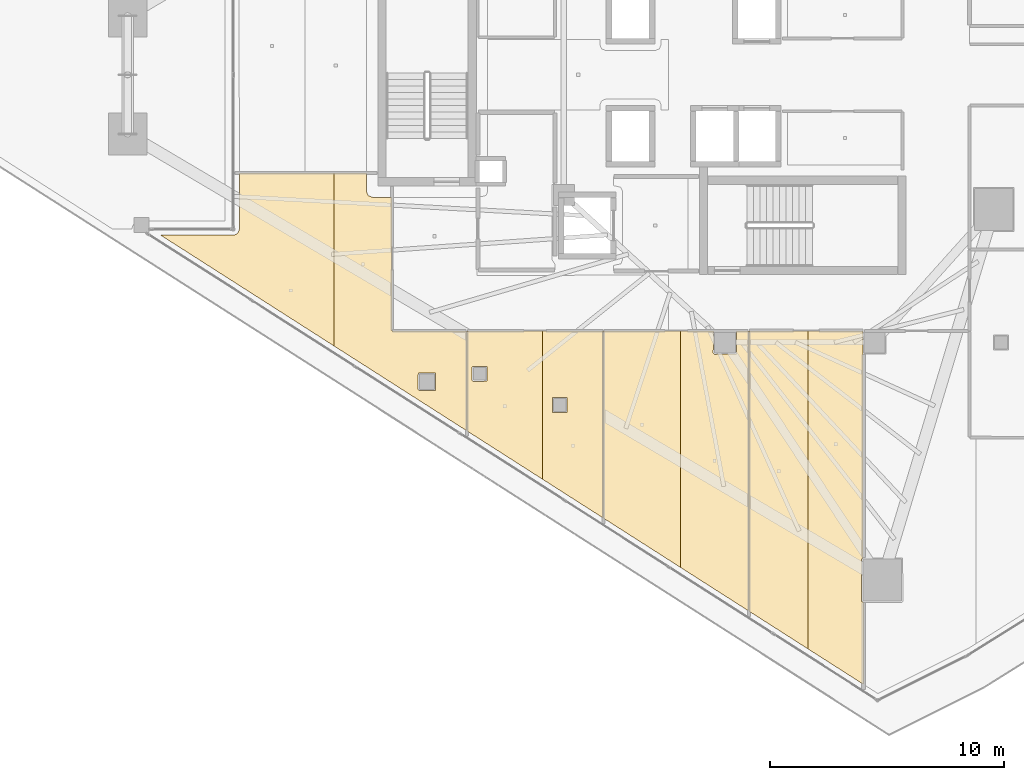
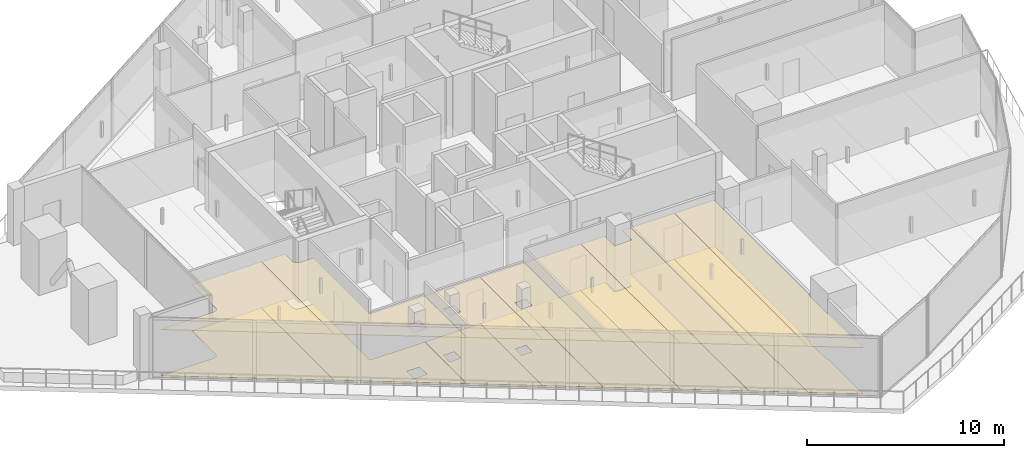
# One storey, part 31 of 36: 16 coverings.
"""IFC4 building model written with IfcOpenShell, lengths in metres."""

from ifc_helpers import new_model, si_unit, direction, frame, origin, place, context, subcontext, project, spatial, polyline, outline, extrude, material, layer, layer_set, type_object, element, save


model = new_model("IFC4")

# Units and contexts
model_context = context("Model", 3, precision=1e-05, world=origin(), true_north=direction((0.0, 1.0)))
body_context = subcontext(model_context, "Body", "Model", "MODEL_VIEW")
ifc_project = project(units=[si_unit("LENGTHUNIT", "METRE"), si_unit("AREAUNIT", "SQUARE_METRE"), si_unit("VOLUMEUNIT", "CUBIC_METRE"), si_unit("PLANEANGLEUNIT", "RADIAN"), si_unit("MASSUNIT", "GRAM", prefix="KILO")], contexts=[model_context])

# Site, building, storey
site_placement = place(None, origin())
site = spatial("IfcSite", under=ifc_project, at=site_placement, CompositionType="ELEMENT")
building_placement = place(site_placement, origin())
building = spatial("IfcBuilding", under=site, at=building_placement, Name="Qorvath Tower", CompositionType="ELEMENT")
storey_placement = place(building_placement, frame((0.0, 0.0, 229.35009765625)))
storey = spatial("IfcBuildingStorey", under=building, at=storey_placement, Name="L53", CompositionType="ELEMENT", Elevation=229.35009765625)

# Coverings
ifc_material_1 = material(Name="Acoustic mineral fibre ceiling tile", Category="gypsum")
ifc_layer_1 = layer(ifc_material_1, 0.030029296875)
ifc_layer_set_1 = layer_set([ifc_layer_1], Name="COV-CEIL")
covering_type_1 = type_object("IfcCoveringType", Name="COV-CEIL", PredefinedType="CEILING", material=ifc_layer_set_1)
covering_1_placement = place(storey_placement, frame((0.0, 0.0, 2.849853515625)))
element("IfcCovering", 1, at=covering_1_placement, inside=storey, type_object=covering_type_1, Name="L53 Suspended Acoustic Ceiling 019", PredefinedType="CEILING", context=body_context, shape_type="SweptSolid", body=[
    extrude(outline(polyline([(-34.64501953125, -10.962890625), (-34.64501953125, -15.24267578125), (-31.4130859375, -17.308349609375), (-31.4130859375, -10.962890625), (-34.64501953125, -10.962890625)]), holes=[polyline([(-34.439208984375, -13.0673828125), (-34.421630859375, -12.47509765625), (-33.786865234375, -12.47509765625), (-33.786865234375, -13.10986328125), (-34.379150390625, -13.12744140625), (-34.439208984375, -13.0673828125)])]), origin(), (0.0, 0.0, 1.0), 0.030029296875),
])
covering_2_placement = place(storey_placement, frame((0.0, 0.0, 2.849853515625)))
element("IfcCovering", 2, at=covering_2_placement, inside=storey, type_object=covering_type_1, Name="L53 Suspended Acoustic Ceiling 020", PredefinedType="CEILING", context=body_context, shape_type="SweptSolid", body=[
    extrude(outline(polyline([(-31.4130859375, -10.962890625), (-31.4130859375, -17.308349609375), (-28.816162109375, -18.96826171875), (-28.816162109375, -10.962890625), (-31.4130859375, -10.962890625)]), holes=[polyline([(-30.99462890625, -14.441650390625), (-30.99462890625, -13.806884765625), (-30.35986328125, -13.806884765625), (-30.35986328125, -14.441650390625), (-30.99462890625, -14.441650390625)])]), origin(), (0.0, 0.0, 1.0), 0.030029296875),
])
covering_3_placement = place(storey_placement, frame((0.0, 0.0, 2.849853515625)))
element("IfcCovering", 3, at=covering_3_placement, inside=storey, type_object=covering_type_1, Name="L53 Suspended Acoustic Ceiling 021", PredefinedType="CEILING", context=body_context, shape_type="SweptSolid", body=[
    extrude(outline(polyline([(-28.798095703125, -10.962890625), (-28.798095703125, -18.979736328125), (-25.520263671875, -21.07470703125), (-25.520263671875, -10.962890625), (-28.798095703125, -10.962890625)])), origin(), (0.0, 0.0, 1.0), 0.030029296875),
])
covering_4_placement = place(storey_placement, frame((0.0, 0.0, 2.849853515625)))
element("IfcCovering", 4, at=covering_4_placement, inside=storey, type_object=covering_type_1, Name="L53 Suspended Acoustic Ceiling 022", PredefinedType="CEILING", context=body_context, shape_type="SweptSolid", body=[
    extrude(outline(polyline([(-25.520263671875, -10.962890625), (-25.520263671875, -21.07470703125), (-22.592041015625, -22.946044921875), (-22.592041015625, -10.962890625), (-23.105224609375, -10.962890625), (-23.107666015625, -11.9423828125), (-24.050048828125, -11.9599609375), (-24.110107421875, -11.89990234375), (-24.0947265625, -10.962890625), (-25.520263671875, -10.962890625)])), origin(), (0.0, 0.0, 1.0), 0.030029296875),
])
covering_5_placement = place(storey_placement, frame((0.0, 0.0, 2.849853515625)))
element("IfcCovering", 5, at=covering_5_placement, inside=storey, type_object=covering_type_1, Name="L53 Suspended Acoustic Ceiling 023", PredefinedType="CEILING", context=body_context, shape_type="SweptSolid", body=[
    extrude(outline(polyline([(-20.04345703125, -24.574951171875), (-20.04345703125, -10.962890625), (-22.573974609375, -10.962890625), (-22.573974609375, -22.95751953125), (-20.04345703125, -24.574951171875)])), origin(), (0.0, 0.0, 1.0), 0.030029296875),
])
covering_6_placement = place(storey_placement, frame((0.0, 0.0, 2.849853515625)))
element("IfcCovering", 6, at=covering_6_placement, inside=storey, type_object=covering_type_1, Name="L53 Suspended Acoustic Ceiling 024", PredefinedType="CEILING", context=body_context, shape_type="SweptSolid", body=[
    extrude(outline(polyline([(-17.69677734375, -20.6669921875), (-17.694580078125, -10.962890625), (-20.04345703125, -10.962890625), (-20.04345703125, -24.574951171875), (-17.680908203125, -26.0849609375), (-17.680908203125, -22.587158203125), (-17.756591796875, -22.527099609375), (-17.756591796875, -20.72705078125), (-17.69677734375, -20.6669921875)])), origin(), (0.0, 0.0, 1.0), 0.030029296875),
])
covering_7_placement = place(storey_placement, frame((0.0, 0.0, 2.849853515625)))
element("IfcCovering", 7, at=covering_7_placement, inside=storey, type_object=covering_type_1, Name="L53 Suspended Acoustic Ceiling 037", PredefinedType="CEILING", context=body_context, shape_type="SweptSolid", body=[
    extrude(outline(polyline([(-44.46875, -6.78564453125), (-44.59912109375, -6.854736328125), (-47.76171875, -6.859375), (-40.335205078125, -11.60595703125), (-40.335205078125, -4.209716796875), (-44.39306640625, -4.209716796875), (-44.394287109375, -6.62890625), (-44.46875, -6.78564453125)])), origin(), (0.0, 0.0, 1.0), 0.030029296875),
])
covering_8_placement = place(storey_placement, frame((0.0, 0.0, 2.849853515625)))
element("IfcCovering", 8, at=covering_8_placement, inside=storey, type_object=covering_type_1, Name="L53 Suspended Acoustic Ceiling 038", PredefinedType="CEILING", context=body_context, shape_type="SweptSolid", body=[
    extrude(outline(polyline([(-40.335205078125, -4.209716796875), (-40.335205078125, -11.60595703125), (-34.6630859375, -15.231201171875), (-34.6630859375, -10.962890625), (-37.861572265625, -10.96142578125), (-37.863037109375, -5.239990234375), (-38.699951171875, -5.239990234375), (-38.876708984375, -5.166748046875), (-38.949951171875, -4.989990234375), (-38.949951171875, -4.209716796875), (-40.335205078125, -4.209716796875)]), holes=[polyline([(-36.749755859375, -13.46044921875), (-36.732177734375, -12.76806640625), (-35.997314453125, -12.76806640625), (-35.997314453125, -13.5029296875), (-36.689697265625, -13.5205078125), (-36.749755859375, -13.46044921875)])]), origin(), (0.0, 0.0, 1.0), 0.030029296875),
])
ifc_material_2 = material(Name="Low-VOC modular carpet tile", Category="textile")
ifc_layer_2 = layer(ifc_material_2, 0.014892578125)
ifc_layer_set_2 = layer_set([ifc_layer_2], Name="COV-FLOOR-CPT")
covering_type_2 = type_object("IfcCoveringType", Name="COV-FLOOR-CPT", PredefinedType="FLOORING", material=ifc_layer_set_2)
covering_9_placement = place(storey_placement, origin())
element("IfcCovering", 9, at=covering_9_placement, inside=storey, type_object=covering_type_2, Name="L53 Floor Finish 019", PredefinedType="FLOORING", context=body_context, shape_type="SweptSolid", body=[
    extrude(outline(polyline([(-34.64501953125, -10.962890625), (-34.64501953125, -15.24267578125), (-31.4130859375, -17.308349609375), (-31.4130859375, -10.962890625), (-34.64501953125, -10.962890625)]), holes=[polyline([(-34.439208984375, -13.0673828125), (-34.421630859375, -12.47509765625), (-33.786865234375, -12.47509765625), (-33.786865234375, -13.10986328125), (-34.379150390625, -13.12744140625), (-34.439208984375, -13.0673828125)])]), origin(), (0.0, 0.0, 1.0), 0.014892578125),
])
covering_10_placement = place(storey_placement, origin())
element("IfcCovering", 10, at=covering_10_placement, inside=storey, type_object=covering_type_2, Name="L53 Floor Finish 020", PredefinedType="FLOORING", context=body_context, shape_type="SweptSolid", body=[
    extrude(outline(polyline([(-31.4130859375, -10.962890625), (-31.4130859375, -17.308349609375), (-28.816162109375, -18.96826171875), (-28.816162109375, -10.962890625), (-31.4130859375, -10.962890625)]), holes=[polyline([(-30.99462890625, -14.441650390625), (-30.99462890625, -13.806884765625), (-30.35986328125, -13.806884765625), (-30.35986328125, -14.441650390625), (-30.99462890625, -14.441650390625)])]), origin(), (0.0, 0.0, 1.0), 0.014892578125),
])
covering_11_placement = place(storey_placement, origin())
element("IfcCovering", 11, at=covering_11_placement, inside=storey, type_object=covering_type_2, Name="L53 Floor Finish 021", PredefinedType="FLOORING", context=body_context, shape_type="SweptSolid", body=[
    extrude(outline(polyline([(-28.798095703125, -10.962890625), (-28.798095703125, -18.979736328125), (-25.520263671875, -21.07470703125), (-25.520263671875, -10.962890625), (-28.798095703125, -10.962890625)])), origin(), (0.0, 0.0, 1.0), 0.014892578125),
])
covering_12_placement = place(storey_placement, origin())
element("IfcCovering", 12, at=covering_12_placement, inside=storey, type_object=covering_type_2, Name="L53 Floor Finish 022", PredefinedType="FLOORING", context=body_context, shape_type="SweptSolid", body=[
    extrude(outline(polyline([(-25.520263671875, -10.962890625), (-25.520263671875, -21.07470703125), (-22.592041015625, -22.946044921875), (-22.592041015625, -10.962890625), (-23.105224609375, -10.962890625), (-23.107666015625, -11.9423828125), (-24.050048828125, -11.9599609375), (-24.110107421875, -11.89990234375), (-24.0947265625, -10.962890625), (-25.520263671875, -10.962890625)])), origin(), (0.0, 0.0, 1.0), 0.014892578125),
])
covering_13_placement = place(storey_placement, origin())
element("IfcCovering", 13, at=covering_13_placement, inside=storey, type_object=covering_type_2, Name="L53 Floor Finish 023", PredefinedType="FLOORING", context=body_context, shape_type="SweptSolid", body=[
    extrude(outline(polyline([(-20.04345703125, -24.574951171875), (-20.04345703125, -10.962890625), (-22.573974609375, -10.962890625), (-22.573974609375, -22.95751953125), (-20.04345703125, -24.574951171875)])), origin(), (0.0, 0.0, 1.0), 0.014892578125),
])
covering_14_placement = place(storey_placement, origin())
element("IfcCovering", 14, at=covering_14_placement, inside=storey, type_object=covering_type_2, Name="L53 Floor Finish 024", PredefinedType="FLOORING", context=body_context, shape_type="SweptSolid", body=[
    extrude(outline(polyline([(-17.69677734375, -20.6669921875), (-17.694580078125, -10.962890625), (-20.04345703125, -10.962890625), (-20.04345703125, -24.574951171875), (-17.680908203125, -26.0849609375), (-17.680908203125, -22.587158203125), (-17.756591796875, -22.527099609375), (-17.756591796875, -20.72705078125), (-17.69677734375, -20.6669921875)])), origin(), (0.0, 0.0, 1.0), 0.014892578125),
])
covering_15_placement = place(storey_placement, origin())
element("IfcCovering", 15, at=covering_15_placement, inside=storey, type_object=covering_type_2, Name="L53 Floor Finish 037", PredefinedType="FLOORING", context=body_context, shape_type="SweptSolid", body=[
    extrude(outline(polyline([(-44.46875, -6.78564453125), (-44.59912109375, -6.854736328125), (-47.76171875, -6.859375), (-40.335205078125, -11.60595703125), (-40.335205078125, -4.209716796875), (-44.39306640625, -4.209716796875), (-44.394287109375, -6.62890625), (-44.46875, -6.78564453125)])), origin(), (0.0, 0.0, 1.0), 0.014892578125),
])
covering_16_placement = place(storey_placement, origin())
element("IfcCovering", 16, at=covering_16_placement, inside=storey, type_object=covering_type_2, Name="L53 Floor Finish 038", PredefinedType="FLOORING", context=body_context, shape_type="SweptSolid", body=[
    extrude(outline(polyline([(-40.335205078125, -4.209716796875), (-40.335205078125, -11.60595703125), (-34.6630859375, -15.231201171875), (-34.6630859375, -10.962890625), (-37.861572265625, -10.96142578125), (-37.863037109375, -5.239990234375), (-38.699951171875, -5.239990234375), (-38.876708984375, -5.166748046875), (-38.949951171875, -4.989990234375), (-38.949951171875, -4.209716796875), (-40.335205078125, -4.209716796875)]), holes=[polyline([(-36.749755859375, -13.46044921875), (-36.732177734375, -12.76806640625), (-35.997314453125, -12.76806640625), (-35.997314453125, -13.5029296875), (-36.689697265625, -13.5205078125), (-36.749755859375, -13.46044921875)])]), origin(), (0.0, 0.0, 1.0), 0.014892578125),
])

save(model, "model.ifc")
